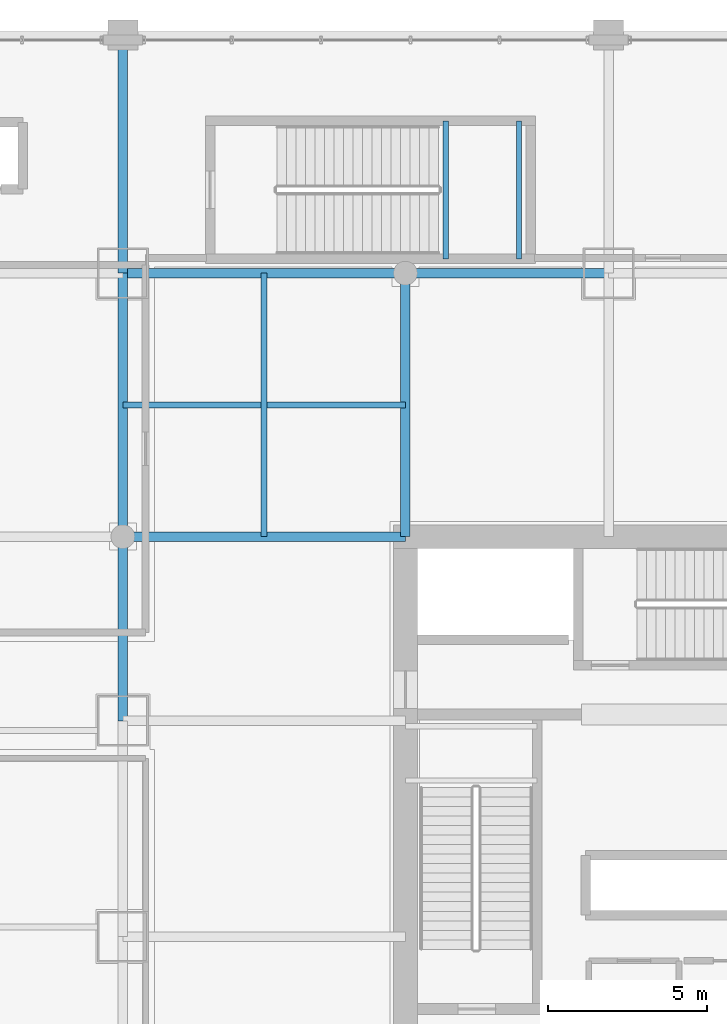
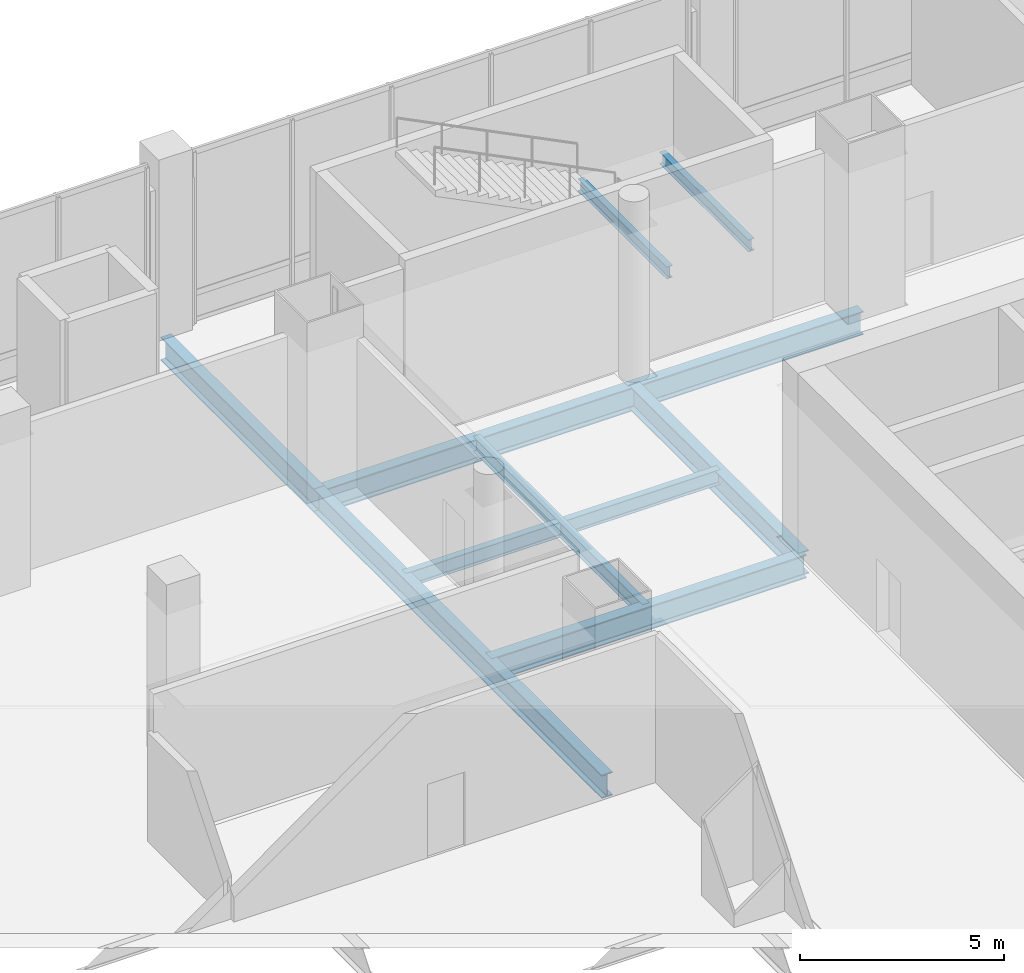
# One storey, part 12 of 39: 9 beams.
"""IFC4 building model written with IfcOpenShell, lengths in metres."""

from ifc_helpers import new_model, si_unit, direction, frame, origin, origin_2d, place, context, subcontext, project, spatial, i_section, extrude, material, material_profile, profile_set, type_object, element, save


model = new_model("IFC4")

# Units and contexts
model_context = context("Model", 3, precision=1e-05, world=origin(), true_north=direction((0.0, 1.0)))
body_context = subcontext(model_context, "Body", "Model", "MODEL_VIEW")
ifc_project = project(units=[si_unit("LENGTHUNIT", "METRE"), si_unit("AREAUNIT", "SQUARE_METRE"), si_unit("VOLUMEUNIT", "CUBIC_METRE"), si_unit("PLANEANGLEUNIT", "RADIAN"), si_unit("MASSUNIT", "GRAM", prefix="KILO")], contexts=[model_context])

# Site, building, storey
site_placement = place(None, origin())
site = spatial("IfcSite", under=ifc_project, at=site_placement, CompositionType="ELEMENT")
building_placement = place(site_placement, origin())
building = spatial("IfcBuilding", under=site, at=building_placement, Name="Punatoya Terracotta Tower", CompositionType="ELEMENT")
storey_placement = place(building_placement, frame((0.0, 0.0, 11.39990234375)))
storey = spatial("IfcBuildingStorey", under=building, at=storey_placement, Name="L02", CompositionType="ELEMENT", Elevation=11.39990234375)

# Beams
ifc_material = material(Name="Steel S355", Category="steel")
ifc_material_profile_1 = material_profile(ifc_material, i_section(OverallWidth=0.300048828125, OverallDepth=0.699951171875, WebThickness=0.01708984375, FlangeThickness=0.031982421875, FilletRadius=0.01806640625, at=origin_2d()))
ifc_profile_set_1 = profile_set([ifc_material_profile_1], Name="Steel S355")
beam_type_1 = type_object("IfcBeamType", Name="BM-PRI-700", PredefinedType="BEAM", material=ifc_profile_set_1)
beam_1_placement = place(storey_placement, frame((-19.10009765625, 17.5, -0.6298828125), z_axis=(1.0, 0.0, 0.0), x_axis=(0.0, 1.0, 0.0)))
element("IfcBeam", 1, at=beam_1_placement, inside=storey, type_object=beam_type_1, Name="BM-L02-RG-N1", PredefinedType="BEAM", context=body_context, shape_type="SweptSolid", body=[
    extrude(i_section(OverallWidth=0.300048828125, OverallDepth=0.699951171875, WebThickness=0.01708984375, FlangeThickness=0.031982421875, FilletRadius=0.01806640625, at=origin_2d()), origin(), (0.0, 0.0, 1.0), 15.300048828125),
])
beam_2_placement = place(storey_placement, frame((-19.10009765625, 3.39990234375, -0.6298828125), z_axis=(0.0, 1.0, 0.0), x_axis=(-1.0, 0.0, 0.0)))
element("IfcBeam", 2, at=beam_2_placement, inside=storey, type_object=beam_type_1, Name="BM-L02-RG-W3", PredefinedType="BEAM", context=body_context, shape_type="SweptSolid", body=[
    extrude(i_section(OverallWidth=0.300048828125, OverallDepth=0.699951171875, WebThickness=0.01708984375, FlangeThickness=0.031982421875, FilletRadius=0.01806640625, at=origin_2d()), origin(), (0.0, 0.0, 1.0), 14.10009765625),
])
beam_3_placement = place(storey_placement, frame((-19.10009765625, 9.199951171875, -0.6298828125), z_axis=(1.0, 0.0, 0.0), x_axis=(0.0, 1.0, 0.0)))
element("IfcBeam", 3, at=beam_3_placement, inside=storey, type_object=beam_type_1, Name="BM-L02-PR-WN", PredefinedType="BEAM", context=body_context, shape_type="SweptSolid", body=[
    extrude(i_section(OverallWidth=0.300048828125, OverallDepth=0.699951171875, WebThickness=0.01708984375, FlangeThickness=0.031982421875, FilletRadius=0.01806640625, at=origin_2d()), origin(), (0.0, 0.0, 1.0), 8.900146484375),
])
beam_4_placement = place(storey_placement, frame((-10.199951171875, 9.199951171875, -0.6298828125), z_axis=(0.0, 1.0, 0.0), x_axis=(-1.0, 0.0, 0.0)))
element("IfcBeam", 4, at=beam_4_placement, inside=storey, type_object=beam_type_1, Name="BM-L02-PR-N1", PredefinedType="BEAM", context=body_context, shape_type="SweptSolid", body=[
    extrude(i_section(OverallWidth=0.300048828125, OverallDepth=0.699951171875, WebThickness=0.01708984375, FlangeThickness=0.031982421875, FilletRadius=0.01806640625, at=origin_2d()), origin(), (0.0, 0.0, 1.0), 8.300048828125),
])
beam_5_placement = place(storey_placement, frame((-19.10009765625, 17.5, -0.6298828125), z_axis=(0.0, 1.0, 0.0), x_axis=(-1.0, 0.0, 0.0)))
element("IfcBeam", 5, at=beam_5_placement, inside=storey, type_object=beam_type_1, Name="BM-L02-M19W-17", PredefinedType="BEAM", context=body_context, shape_type="SweptSolid", body=[
    extrude(i_section(OverallWidth=0.300048828125, OverallDepth=0.699951171875, WebThickness=0.01708984375, FlangeThickness=0.031982421875, FilletRadius=0.01806640625, at=origin_2d()), origin(), (0.0, 0.0, 1.0), 7.5),
])
ifc_material_profile_2 = material_profile(ifc_material, i_section(OverallWidth=0.169921875, OverallDepth=0.360107421875, WebThickness=0.008056640625, FlangeThickness=0.0126953125, FilletRadius=0.01806640625, at=origin_2d()))
ifc_profile_set_2 = profile_set([ifc_material_profile_2], Name="Steel S355")
beam_type_2 = type_object("IfcBeamType", Name="BM-SEC-360", PredefinedType="JOIST", material=ifc_profile_set_2)
for number, where, z_axis, x_axis, name in (
    (6, (-8.929931640625, 17.949951171875, 2.320068359375), (0.0, 1.0, 0.0), (-1.0, 0.0, 0.0), "BM-L02-ST-P1-LD1A"),
    (7, (-6.6201171875, 17.949951171875, 2.320068359375), (0.0, 1.0, 0.0), (-1.0, 0.0, 0.0), "BM-L02-ST-P1-LD1B"),
):
    element("IfcBeam", number, at=place(storey_placement, frame(where, z_axis=z_axis, x_axis=x_axis)), inside=storey, type_object=beam_type_2, Name=name, PredefinedType="JOIST", context=body_context, shape_type="SweptSolid", body=[
        extrude(i_section(OverallWidth=0.169921875, OverallDepth=0.360107421875, WebThickness=0.008056640625, FlangeThickness=0.0126953125, FilletRadius=0.01806640625, at=origin_2d()), origin(), (0.0, 0.0, 1.0), 4.35009765625),
    ])
ifc_material_profile_3 = material_profile(ifc_material, i_section(OverallWidth=0.18994140625, OverallDepth=0.449951171875, WebThickness=0.009521484375, FlangeThickness=0.0146484375, FilletRadius=0.01806640625, at=origin_2d()))
ifc_profile_set_3 = profile_set([ifc_material_profile_3], Name="Steel S355")
beam_type_3 = type_object("IfcBeamType", Name="BM-SEC-450", PredefinedType="JOIST", material=ifc_profile_set_3)
beam_6_placement = place(storey_placement, frame((-19.10009765625, 13.35009765625, -0.5048828125), z_axis=(1.0, 0.0, 0.0), x_axis=(0.0, 1.0, 0.0)))
element("IfcBeam", 8, at=beam_6_placement, inside=storey, type_object=beam_type_3, Name="BM-L02-SJN-1", PredefinedType="JOIST", context=body_context, shape_type="SweptSolid", body=[
    extrude(i_section(OverallWidth=0.18994140625, OverallDepth=0.449951171875, WebThickness=0.009521484375, FlangeThickness=0.0146484375, FilletRadius=0.01806640625, at=origin_2d()), origin(), (0.0, 0.0, 1.0), 8.900146484375),
])
beam_7_placement = place(storey_placement, frame((-14.64990234375, 9.199951171875, -0.5048828125), z_axis=(0.0, 1.0, 0.0), x_axis=(-1.0, 0.0, 0.0)))
element("IfcBeam", 9, at=beam_7_placement, inside=storey, type_object=beam_type_3, Name="BM-L02-SJW-2", PredefinedType="JOIST", context=body_context, shape_type="SweptSolid", body=[
    extrude(i_section(OverallWidth=0.18994140625, OverallDepth=0.449951171875, WebThickness=0.009521484375, FlangeThickness=0.0146484375, FilletRadius=0.01806640625, at=origin_2d()), origin(), (0.0, 0.0, 1.0), 8.300048828125),
])

save(model, "model.ifc")
